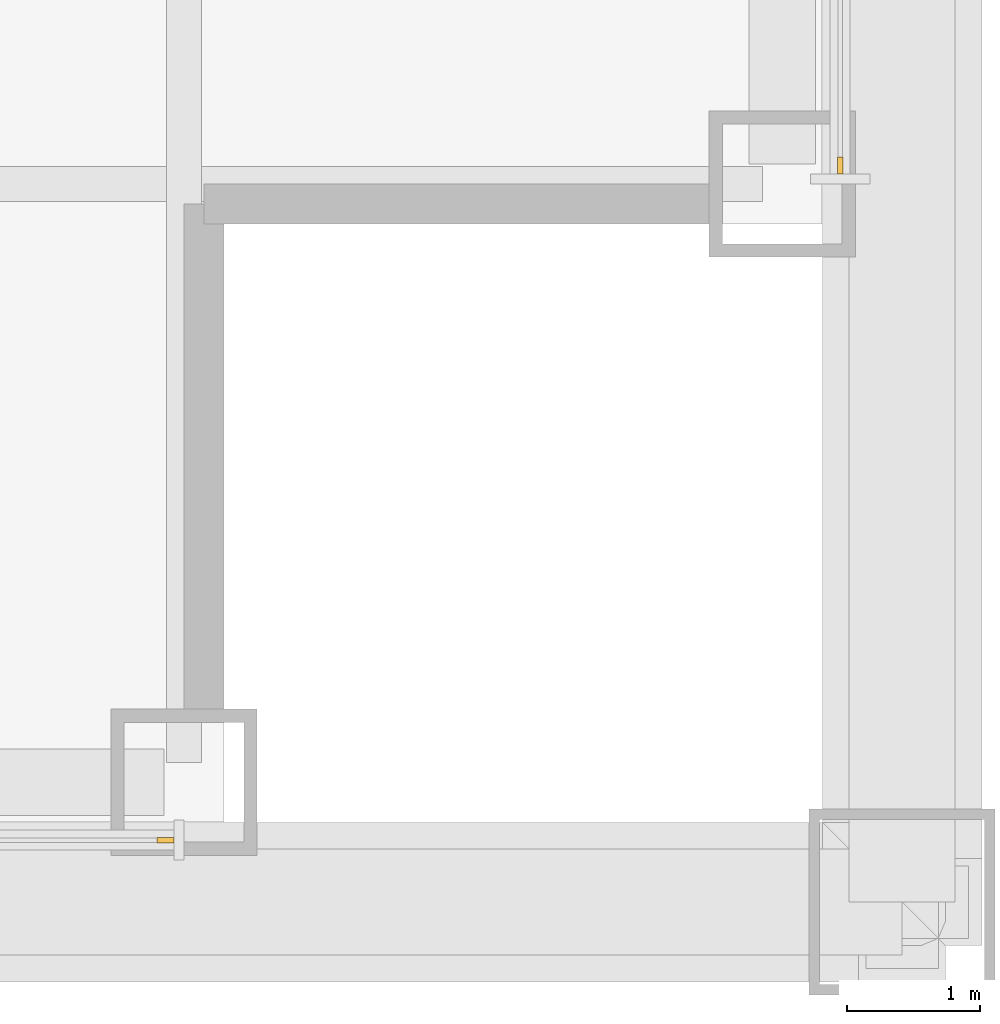
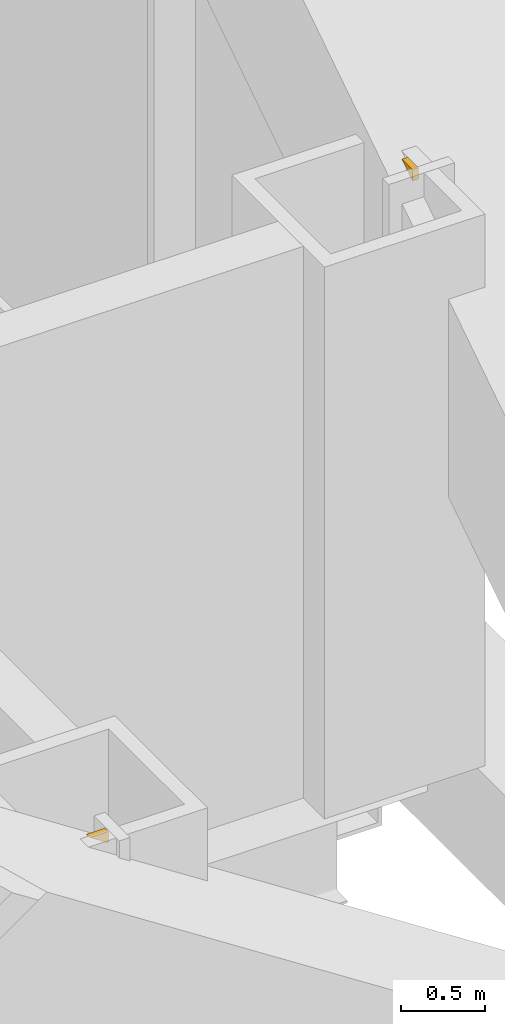
# One storey, part 19 of 21: 2 coverings.
"""IFC4 building model written with IfcOpenShell, lengths in metres."""

from ifc_helpers import new_model, si_unit, direction, frame, origin, place, context, subcontext, project, spatial, polyline, outline, extrude, material, layer, layer_set, type_object, element, save


model = new_model("IFC4")

# Units and contexts
model_context = context("Model", 3, precision=1e-05, world=origin(), true_north=direction((0.0, 1.0)))
body_context = subcontext(model_context, "Body", "Model", "MODEL_VIEW")
ifc_project = project(units=[si_unit("LENGTHUNIT", "METRE"), si_unit("AREAUNIT", "SQUARE_METRE"), si_unit("VOLUMEUNIT", "CUBIC_METRE"), si_unit("PLANEANGLEUNIT", "RADIAN"), si_unit("MASSUNIT", "GRAM", prefix="KILO")], contexts=[model_context])

# Site, building, storey
site_placement = place(None, origin())
site = spatial("IfcSite", under=ifc_project, at=site_placement, CompositionType="ELEMENT")
building_placement = place(site_placement, origin())
building = spatial("IfcBuilding", under=site, at=building_placement, Name="Malebo Sky Hospital", CompositionType="ELEMENT")
storey_placement = place(building_placement, frame((0.0, 0.0, 140.0)))
storey = spatial("IfcBuildingStorey", under=building, at=storey_placement, Name="L33", CompositionType="ELEMENT", Elevation=140.0)

# Coverings
ifc_material = material(Name="Anodised aluminium, natural silver insulated infill panel", Category="aluminium")
ifc_layer = layer(ifc_material, 0.0400390625)
ifc_layer_set = layer_set([ifc_layer], Name="BRACE INFILL PANEL 40")
covering_type = type_object("IfcCoveringType", Name="BRACE INFILL PANEL 40", PredefinedType="CLADDING", material=ifc_layer_set)
covering_1_placement = place(storey_placement, frame((79.0615234375, 37.864990234375, 3.9072265625), z_axis=(0.0, 0.0, 1.0), x_axis=(-1.0, 0.0, 0.0)))
element("IfcCovering", 1, at=covering_1_placement, inside=storey, type_object=covering_type, Name="Brace infill panel 1.1", PredefinedType="CLADDING", context=body_context, shape_type="SweptSolid", body=[
    extrude(outline(polyline([(-0.063720703125, 0.0), (0.063720703125, 0.082763671875), (-0.063720703125, 0.082763671875), (-0.063720703125, 0.0)])), frame((0.0, 0.02001953125, 0.0), z_axis=(0.0, -1.0, 0.0), x_axis=(1.0, 0.0, 0.0)), (0.0, 0.0, 1.0), 0.0400390625),
])
covering_2_placement = place(storey_placement, frame((84.135009765625, 42.9384765625, 3.9072265625), z_axis=(0.0, 0.0, 1.0), x_axis=(0.0, -1.0, 0.0)))
element("IfcCovering", 2, at=covering_2_placement, inside=storey, type_object=covering_type, Name="Brace infill panel 16.1", PredefinedType="CLADDING", context=body_context, shape_type="SweptSolid", body=[
    extrude(outline(polyline([(0.0634765625, 0.0), (0.0634765625, 0.082763671875), (-0.063720703125, 0.082763671875), (0.0634765625, 0.0)])), frame((0.0, 0.02001953125, 0.0), z_axis=(0.0, -1.0, 0.0), x_axis=(1.0, 0.0, 0.0)), (0.0, 0.0, 1.0), 0.0400390625),
])

save(model, "model.ifc")
